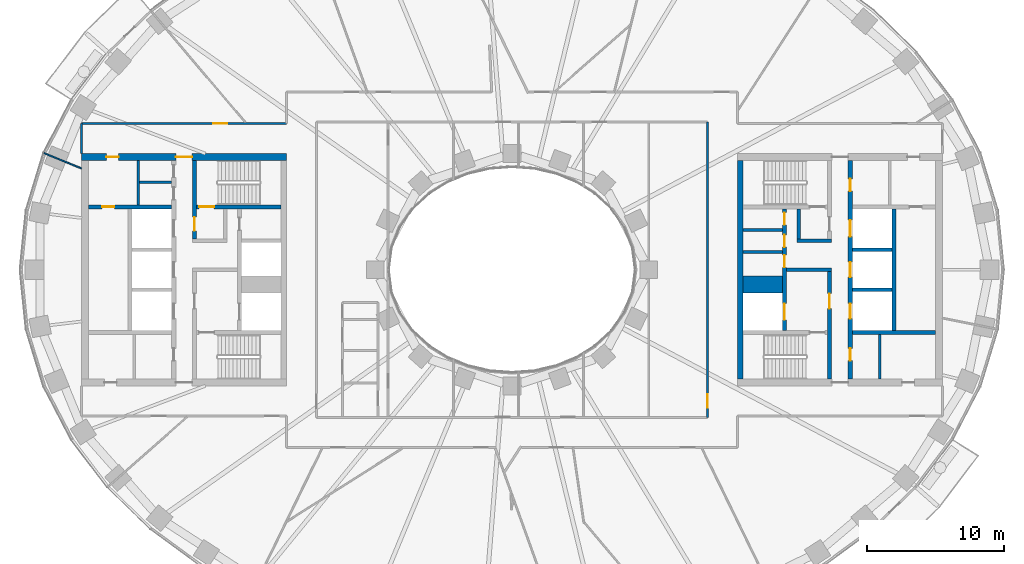
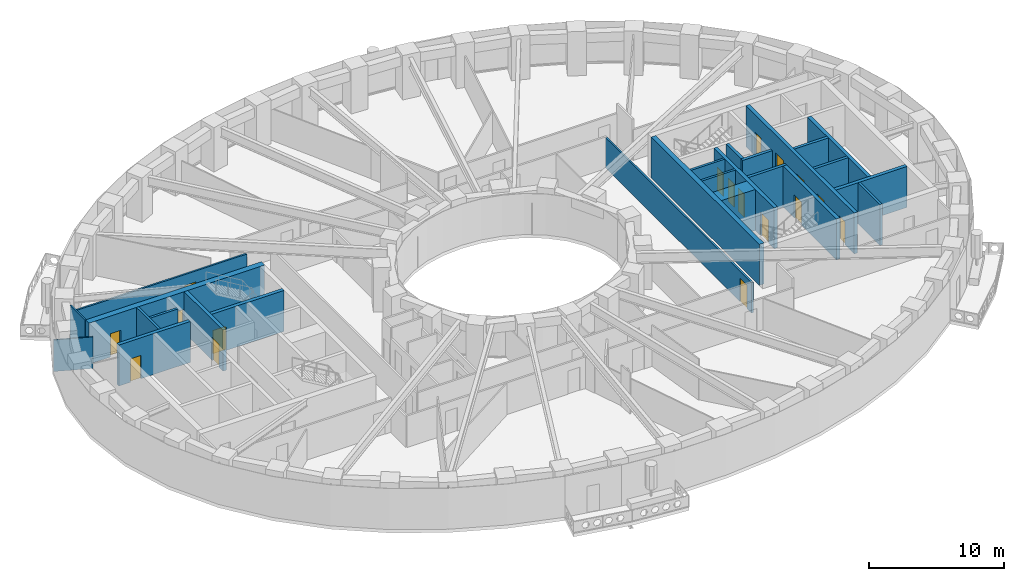
# One storey, part 5 of 16: 25 walls, 17 doors, 17 openings.
"""IFC4 building model written with IfcOpenShell, lengths in metres."""

from ifc_helpers import new_model, si_unit, direction, frame, frame_2d, origin, place, context, subcontext, project, spatial, rectangle, extrude, material, layer, layer_set, type_object, element, fill, save


model = new_model("IFC4")

# Units and contexts
model_context = context("Model", 3, precision=1e-05, world=origin(), true_north=direction((0.0, 1.0)))
body_context = subcontext(model_context, "Body", "Model", "MODEL_VIEW")
ifc_project = project(units=[si_unit("LENGTHUNIT", "METRE"), si_unit("AREAUNIT", "SQUARE_METRE"), si_unit("VOLUMEUNIT", "CUBIC_METRE"), si_unit("PLANEANGLEUNIT", "RADIAN"), si_unit("MASSUNIT", "GRAM", prefix="KILO")], contexts=[model_context])

# Site, building, storey
site_placement = place(None, origin())
site = spatial("IfcSite", under=ifc_project, at=site_placement, CompositionType="ELEMENT")
building_placement = place(site_placement, origin())
building = spatial("IfcBuilding", under=site, at=building_placement, Name="Noorbagh Ring Tower", CompositionType="ELEMENT")
storey_placement = place(building_placement, frame((0.0, 0.0, 58.5)))
storey = spatial("IfcBuildingStorey", under=building, at=storey_placement, Name="L12", CompositionType="ELEMENT", Elevation=58.5)

# Walls
ifc_material_1 = material(Name="Gypsum board on steel studs", Category="steel")
ifc_layer_1 = layer(ifc_material_1, 0.199951171875)
ifc_layer_set_1 = layer_set([ifc_layer_1], Name="Gypsum board on steel studs")
wall_type_1 = type_object("IfcWallType", Name="CORE-PARTITION-200", PredefinedType="PARTITIONING", material=ifc_layer_set_1)
wall_1_placement = place(storey_placement, frame((-27.35009765625, 4.75, 0.0), z_axis=(0.0, 0.0, 1.0), x_axis=(0.0, 1.0, 0.0)))
element("IfcWall", 1, at=wall_1_placement, inside=storey, type_object=wall_type_1, Name="Core partition W", PredefinedType="PARTITIONING", context=body_context, shape_type="SweptSolid", body=[
    extrude(rectangle(XDim=3.25, YDim=0.199951171875, at=frame_2d((1.625, 0.0))), origin(), (0.0, 0.0, 1.0), 3.699951171875),
])
wall_2_placement = place(storey_placement, frame((-24.89990234375, 6.39990234375, 0.0), z_axis=(0.0, 0.0, 1.0), x_axis=(-1.0, 0.0, 0.0)))
element("IfcWall", 2, at=wall_2_placement, inside=storey, type_object=wall_type_1, Name="Core partition W", PredefinedType="PARTITIONING", context=body_context, shape_type="SweptSolid", body=[
    extrude(rectangle(XDim=2.35009765625, YDim=0.199951171875, at=frame_2d((1.175048828125, 0.0))), origin(), (0.0, 0.0, 1.0), 3.699951171875),
])
for number, where, z_axis, x_axis, name in (
    (3, (16.89990234375, 1.300048828125, 0.0), (0.0, 0.0, 1.0), (1.0, 0.0, 0.0), "Core partition E"),
    (4, (16.89990234375, 2.89990234375, 0.0), (0.0, 0.0, 1.0), (1.0, 0.0, 0.0), "Core partition E"),
):
    element("IfcWall", number, at=place(storey_placement, frame(where, z_axis=z_axis, x_axis=x_axis)), inside=storey, type_object=wall_type_1, Name=name, PredefinedType="PARTITIONING", context=body_context, shape_type="SweptSolid", body=[
        extrude(rectangle(XDim=2.900146484375, YDim=0.199951171875, at=frame_2d((1.4501953125, 0.0))), origin(), (0.0, 0.0, 1.0), 3.699951171875),
    ])
wall_3_placement = place(storey_placement, frame((26.89990234375, -8.0, 0.0), z_axis=(0.0, 0.0, 1.0), x_axis=(0.0, 1.0, 0.0)))
element("IfcWall", 5, at=wall_3_placement, inside=storey, type_object=wall_type_1, Name="Core partition E", PredefinedType="PARTITIONING", context=body_context, shape_type="SweptSolid", body=[
    extrude(rectangle(XDim=3.25, YDim=0.199951171875, at=frame_2d((1.625, 0.0))), origin(), (0.0, 0.0, 1.0), 3.699951171875),
])
ifc_material_2 = material(Name="Concrete C70/85", Category="concrete")
ifc_layer_2 = layer(ifc_material_2, 1.25)
ifc_layer_set_2 = layer_set([ifc_layer_2], Name="Concrete C70/85")
wall_type_2 = type_object("IfcWallType", Name="CORE-WALL-1250-C70-85-EI120", PredefinedType="SHEAR", material=ifc_layer_set_2)
wall_4_placement = place(storey_placement, frame((16.89990234375, -1.074951171875, 0.0), z_axis=(0.0, 0.0, 1.0), x_axis=(1.0, 0.0, 0.0)))
element("IfcWall", 6, at=wall_4_placement, inside=storey, type_object=wall_type_2, Name="Core wall E", PredefinedType="SHEAR", context=body_context, shape_type="SweptSolid", body=[
    extrude(rectangle(XDim=2.900146484375, YDim=1.25, at=frame_2d((1.4501953125, 0.0))), origin(), (0.0, 0.0, 1.0), 3.699951171875),
])
ifc_material_3 = material(Name="Concrete C70/85", Category="concrete")
ifc_layer_3 = layer(ifc_material_3, 0.25)
ifc_layer_set_3 = layer_set([ifc_layer_3], Name="Concrete C70/85")
wall_type_3 = type_object("IfcWallType", Name="CORE-WALL-250-C70-85-EI120", PredefinedType="SHEAR", material=ifc_layer_set_3)
for number, where, z_axis, x_axis, name in (
    (7, (24.89990234375, -1.47509765625, 0.0), (0.0, 0.0, 1.0), (1.0, 0.0, 0.0), "Core wall E"),
    (8, (24.89990234375, 1.47509765625, 0.0), (0.0, 0.0, 1.0), (1.0, 0.0, 0.0), "Core wall E"),
):
    element("IfcWall", number, at=place(storey_placement, frame(where, z_axis=z_axis, x_axis=x_axis)), inside=storey, type_object=wall_type_3, Name=name, PredefinedType="SHEAR", context=body_context, shape_type="SweptSolid", body=[
        extrude(rectangle(XDim=2.900146484375, YDim=0.25, at=frame_2d((1.4501953125, 0.0))), origin(), (0.0, 0.0, 1.0), 3.699951171875),
    ])
ifc_material_4 = material(Name="Concrete C70/85", Category="concrete")
ifc_layer_4 = layer(ifc_material_4, 0.25)
ifc_layer_set_4 = layer_set([ifc_layer_4], Name="Concrete C70/85")
wall_type_4 = type_object("IfcWallType", Name="CORE-WALL-250-C70-85-EI240", PredefinedType="SHEAR", material=ifc_layer_set_4)
wall_5_placement = place(storey_placement, frame((20.10009765625, 0.0, 0.0), z_axis=(0.0, 0.0, 1.0), x_axis=(1.0, 0.0, 0.0)))
element("IfcWall", 9, at=wall_5_placement, inside=storey, type_object=wall_type_4, Name="Core wall E", PredefinedType="SHEAR", context=body_context, shape_type="SweptSolid", body=[
    extrude(rectangle(XDim=3.27978515625, YDim=0.25, at=frame_2d((1.639892578125, 0.0))), origin(), (0.0, 0.0, 1.0), 3.699951171875),
])
wall_6_placement = place(storey_placement, frame((20.85009765625, 2.125, 0.0), z_axis=(0.0, 0.0, 1.0), x_axis=(1.0, 0.0, 0.0)))
element("IfcWall", 10, at=wall_6_placement, inside=storey, type_object=wall_type_4, Name="Core wall E", PredefinedType="SHEAR", context=body_context, shape_type="SweptSolid", body=[
    extrude(rectangle(XDim=2.52978515625, YDim=0.25, at=frame_2d((1.264892578125, 0.0))), origin(), (0.0, 0.0, 1.0), 3.699951171875),
])
wall_7_placement = place(storey_placement, frame((20.97509765625, 2.25, 0.0), z_axis=(0.0, 0.0, 1.0), x_axis=(0.0, 1.0, 0.0)))
element("IfcWall", 11, at=wall_7_placement, inside=storey, type_object=wall_type_4, Name="Core wall E", PredefinedType="SHEAR", context=body_context, shape_type="SweptSolid", body=[
    extrude(rectangle(XDim=2.199951171875, YDim=0.25, at=frame_2d((1.10009765625, 0.0))), origin(), (0.0, 0.0, 1.0), 3.699951171875),
])
ifc_material_5 = material(Name="Concrete C70/85", Category="concrete")
ifc_layer_5 = layer(ifc_material_5, 0.300048828125)
ifc_layer_set_5 = layer_set([ifc_layer_5], Name="Concrete C70/85")
wall_type_5 = type_object("IfcWallType", Name="CORE-WALL-300-C70-85-EI120", PredefinedType="SHEAR", material=ifc_layer_set_5)
wall_8_placement = place(storey_placement, frame((27.949951171875, -4.449951171875, 0.0), z_axis=(0.0, 0.0, 1.0), x_axis=(0.0, 1.0, 0.0)))
element("IfcWall", 12, at=wall_8_placement, inside=storey, type_object=wall_type_5, Name="Core wall E", PredefinedType="SHEAR", context=body_context, shape_type="SweptSolid", body=[
    extrude(rectangle(XDim=8.89990234375, YDim=0.300048828125, at=frame_2d((4.449951171875, 0.0))), origin(), (0.0, 0.0, 1.0), 3.699951171875),
])

# Wall, openings, doors
wall_9_placement = place(storey_placement, frame((19.949951171875, -4.449951171875, 0.0), z_axis=(0.0, 0.0, 1.0), x_axis=(0.0, 1.0, 0.0)))
wall_9 = element("IfcWall", 13, at=wall_9_placement, inside=storey, type_object=wall_type_5, Name="Core wall E", PredefinedType="SHEAR", context=body_context, shape_type="SweptSolid", body=[
    extrude(rectangle(XDim=8.89990234375, YDim=0.300048828125, at=frame_2d((4.449951171875, 0.0))), origin(), (0.0, 0.0, 1.0), 3.699951171875),
])
opening_1_placement = place(wall_9_placement, frame((0.77490234375, 0.0, 0.0)))
opening_1 = element("IfcOpeningElement", 14, at=opening_1_placement, cuts=wall_9, Name="Opening L12-CE01", PredefinedType="OPENING", context=body_context, shape_type="SweptSolid", body=[
    extrude(rectangle(XDim=1.199951171875, YDim=2.10009765625, at=frame_2d((0.60009765625, 1.050048828125))), frame((0.0, 0.16015625, 0.0), z_axis=(0.0, -1.0, 0.0), x_axis=(1.0, 0.0, 0.0)), (0.0, 0.0, 1.0), 0.320068359375),
])
opening_2_placement = place(wall_9_placement, frame((4.6201171875, 0.0, 0.0)))
opening_2 = element("IfcOpeningElement", 15, at=opening_2_placement, cuts=wall_9, Name="Opening L12-CE11", PredefinedType="OPENING", context=body_context, shape_type="SweptSolid", body=[
    extrude(rectangle(XDim=0.89990234375, YDim=2.10009765625, at=frame_2d((0.449951171875, 1.050048828125))), frame((0.0, 0.16015625, 0.0), z_axis=(0.0, -1.0, 0.0), x_axis=(1.0, 0.0, 0.0)), (0.0, 0.0, 1.0), 0.320068359375),
])
opening_3_placement = place(wall_9_placement, frame((6.10009765625, 0.0, 0.0)))
opening_3 = element("IfcOpeningElement", 16, at=opening_3_placement, cuts=wall_9, Name="Opening L12-CE12", PredefinedType="OPENING", context=body_context, shape_type="SweptSolid", body=[
    extrude(rectangle(XDim=0.89990234375, YDim=2.10009765625, at=frame_2d((0.449951171875, 1.050048828125))), frame((0.0, 0.16015625, 0.0), z_axis=(0.0, -1.0, 0.0), x_axis=(1.0, 0.0, 0.0)), (0.0, 0.0, 1.0), 0.320068359375),
])
opening_4_placement = place(wall_9_placement, frame((7.72509765625, 0.0, 0.0)))
opening_4 = element("IfcOpeningElement", 17, at=opening_4_placement, cuts=wall_9, Name="Opening L12-CE13", PredefinedType="OPENING", context=body_context, shape_type="SweptSolid", body=[
    extrude(rectangle(XDim=0.89990234375, YDim=2.10009765625, at=frame_2d((0.449951171875, 1.050048828125))), frame((0.0, 0.16015625, 0.0), z_axis=(0.0, -1.0, 0.0), x_axis=(1.0, 0.0, 0.0)), (0.0, 0.0, 1.0), 0.320068359375),
])
ifc_material_6 = material(Name="Steel door leaf", Category="steel")
door_type_1 = type_object("IfcDoorType", Name="CORE-DOOR-DROOM", OperationType="SINGLE_SWING_LEFT", PredefinedType="DOOR", material=ifc_material_6)
door_1_placement = place(opening_2_placement, origin())
door_1 = element("IfcDoor", 18, at=door_1_placement, inside=storey, type_object=door_type_1, Name="Core room door L12-CE11", OperationType="SINGLE_SWING_LEFT", OverallHeight=2.10009765625, OverallWidth=0.89990234375, PredefinedType="DOOR", context=body_context, shape_type="SweptSolid", body=[
    extrude(rectangle(XDim=0.89990234375, YDim=2.10009765625, at=frame_2d((0.449951171875, 1.050048828125))), frame((0.0, 0.02490234375, 0.0), z_axis=(0.0, -1.0, 0.0), x_axis=(1.0, 0.0, 0.0)), (0.0, 0.0, 1.0), 0.050048828125),
])
fill(opening_2, door_1)
door_2_placement = place(opening_3_placement, origin())
door_2 = element("IfcDoor", 19, at=door_2_placement, inside=storey, type_object=door_type_1, Name="Core room door L12-CE12", OperationType="SINGLE_SWING_RIGHT", OverallHeight=2.10009765625, OverallWidth=0.89990234375, PredefinedType="DOOR", context=body_context, shape_type="SweptSolid", body=[
    extrude(rectangle(XDim=0.89990234375, YDim=2.10009765625, at=frame_2d((0.449951171875, 1.050048828125))), frame((0.0, 0.02490234375, 0.0), z_axis=(0.0, -1.0, 0.0), x_axis=(1.0, 0.0, 0.0)), (0.0, 0.0, 1.0), 0.050048828125),
])
fill(opening_3, door_2)
door_3_placement = place(opening_4_placement, origin())
door_3 = element("IfcDoor", 20, at=door_3_placement, inside=storey, type_object=door_type_1, Name="Core room door L12-CE13", OperationType="SINGLE_SWING_RIGHT", OverallHeight=2.10009765625, OverallWidth=0.89990234375, PredefinedType="DOOR", context=body_context, shape_type="SweptSolid", body=[
    extrude(rectangle(XDim=0.89990234375, YDim=2.10009765625, at=frame_2d((0.449951171875, 1.050048828125))), frame((0.0, 0.02490234375, 0.0), z_axis=(0.0, -1.0, 0.0), x_axis=(1.0, 0.0, 0.0)), (0.0, 0.0, 1.0), 0.050048828125),
])
fill(opening_4, door_3)
ifc_material_7 = material(Name="Steel door leaf", Category="steel")
door_type_2 = type_object("IfcDoorType", Name="CORE-DOOR-LDW", OperationType="DOUBLE_DOOR_SLIDING", PredefinedType="DOOR", material=ifc_material_7)
door_4_placement = place(opening_1_placement, origin())
door_4 = element("IfcDoor", 21, at=door_4_placement, inside=storey, type_object=door_type_2, Name="Landing door FF2 L12-CE01", OperationType="DOUBLE_DOOR_SLIDING", OverallHeight=2.10009765625, OverallWidth=1.199951171875, PredefinedType="DOOR", context=body_context, shape_type="SweptSolid", body=[
    extrude(rectangle(XDim=1.199951171875, YDim=2.10009765625, at=frame_2d((0.60009765625, 1.050048828125))), frame((0.0, 0.02490234375, 0.0), z_axis=(0.0, -1.0, 0.0), x_axis=(1.0, 0.0, 0.0)), (0.0, 0.0, 1.0), 0.050048828125),
])
fill(opening_1, door_4)

wall_10_placement = place(storey_placement, frame((24.75, -8.0, 0.0), z_axis=(0.0, 0.0, 1.0), x_axis=(0.0, 1.0, 0.0)))
wall_10 = element("IfcWall", 22, at=wall_10_placement, inside=storey, type_object=wall_type_5, Name="Core wall E", PredefinedType="SHEAR", context=body_context, shape_type="SweptSolid", body=[
    extrude(rectangle(XDim=16.0, YDim=0.300048828125, at=frame_2d((8.0, 0.0))), origin(), (0.0, 0.0, 1.0), 3.699951171875),
])
opening_5_placement = place(wall_10_placement, frame((4.425048828125, 0.0, 0.0)))
opening_5 = element("IfcOpeningElement", 23, at=opening_5_placement, cuts=wall_10, Name="Opening L12-CE02", PredefinedType="OPENING", context=body_context, shape_type="SweptSolid", body=[
    extrude(rectangle(XDim=1.10009765625, YDim=2.10009765625, at=frame_2d((0.550048828125, 1.050048828125))), frame((0.0, 0.16015625, 0.0), z_axis=(0.0, -1.0, 0.0), x_axis=(1.0, 0.0, 0.0)), (0.0, 0.0, 1.0), 0.320068359375),
])
opening_6_placement = place(wall_10_placement, frame((7.449951171875, 0.0, 0.0)))
opening_6 = element("IfcOpeningElement", 24, at=opening_6_placement, cuts=wall_10, Name="Opening L12-CE03", PredefinedType="OPENING", context=body_context, shape_type="SweptSolid", body=[
    extrude(rectangle(XDim=1.10009765625, YDim=2.10009765625, at=frame_2d((0.550048828125, 1.050048828125))), frame((0.0, 0.16015625, 0.0), z_axis=(0.0, -1.0, 0.0), x_axis=(1.0, 0.0, 0.0)), (0.0, 0.0, 1.0), 0.320068359375),
])
opening_7_placement = place(wall_10_placement, frame((10.425048828125, 0.0, 0.0)))
opening_7 = element("IfcOpeningElement", 25, at=opening_7_placement, cuts=wall_10, Name="Opening L12-CE04", PredefinedType="OPENING", context=body_context, shape_type="SweptSolid", body=[
    extrude(rectangle(XDim=1.199951171875, YDim=2.10009765625, at=frame_2d((0.60009765625, 1.050048828125))), frame((0.0, 0.16015625, 0.0), z_axis=(0.0, -1.0, 0.0), x_axis=(1.0, 0.0, 0.0)), (0.0, 0.0, 1.0), 0.320068359375),
])
opening_8_placement = place(wall_10_placement, frame((13.75, 0.0, 0.0)))
opening_8 = element("IfcOpeningElement", 26, at=opening_8_placement, cuts=wall_10, Name="Opening L12-CE14", PredefinedType="OPENING", context=body_context, shape_type="SweptSolid", body=[
    extrude(rectangle(XDim=0.89990234375, YDim=2.10009765625, at=frame_2d((0.449951171875, 1.050048828125))), frame((0.0, 0.16015625, 0.0), z_axis=(0.0, -1.0, 0.0), x_axis=(1.0, 0.0, 0.0)), (0.0, 0.0, 1.0), 0.320068359375),
])
opening_9_placement = place(wall_10_placement, frame((1.35009765625, 0.0, 0.0)))
opening_9 = element("IfcOpeningElement", 27, at=opening_9_placement, cuts=wall_10, Name="Opening L12-CE16", PredefinedType="OPENING", context=body_context, shape_type="SweptSolid", body=[
    extrude(rectangle(XDim=0.89990234375, YDim=2.10009765625, at=frame_2d((0.449951171875, 1.050048828125))), frame((0.0, 0.16015625, 0.0), z_axis=(0.0, -1.0, 0.0), x_axis=(1.0, 0.0, 0.0)), (0.0, 0.0, 1.0), 0.320068359375),
])
door_5_placement = place(opening_8_placement, origin())
door_5 = element("IfcDoor", 28, at=door_5_placement, inside=storey, type_object=door_type_1, Name="Core room door L12-CE14", OperationType="SINGLE_SWING_LEFT", OverallHeight=2.10009765625, OverallWidth=0.89990234375, PredefinedType="DOOR", context=body_context, shape_type="SweptSolid", body=[
    extrude(rectangle(XDim=0.89990234375, YDim=2.10009765625, at=frame_2d((0.449951171875, 1.050048828125))), frame((0.0, 0.02490234375, 0.0), z_axis=(0.0, -1.0, 0.0), x_axis=(1.0, 0.0, 0.0)), (0.0, 0.0, 1.0), 0.050048828125),
])
fill(opening_8, door_5)
door_6_placement = place(opening_9_placement, origin())
door_6 = element("IfcDoor", 29, at=door_6_placement, inside=storey, type_object=door_type_1, Name="Core room door L12-CE16", OperationType="SINGLE_SWING_RIGHT", OverallHeight=2.10009765625, OverallWidth=0.89990234375, PredefinedType="DOOR", context=body_context, shape_type="SweptSolid", body=[
    extrude(rectangle(XDim=0.89990234375, YDim=2.10009765625, at=frame_2d((0.449951171875, 1.050048828125))), frame((0.0, 0.02490234375, 0.0), z_axis=(0.0, -1.0, 0.0), x_axis=(1.0, 0.0, 0.0)), (0.0, 0.0, 1.0), 0.050048828125),
])
fill(opening_9, door_6)
ifc_material_8 = material(Name="Steel door leaf", Category="steel")
door_type_3 = type_object("IfcDoorType", Name="CORE-DOOR-LD", OperationType="DOUBLE_DOOR_SLIDING", PredefinedType="DOOR", material=ifc_material_8)
door_7_placement = place(opening_5_placement, origin())
door_7 = element("IfcDoor", 30, at=door_7_placement, inside=storey, type_object=door_type_3, Name="Landing door LR3 L12-CE02", OperationType="DOUBLE_DOOR_SLIDING", OverallHeight=2.10009765625, OverallWidth=1.10009765625, PredefinedType="DOOR", context=body_context, shape_type="SweptSolid", body=[
    extrude(rectangle(XDim=1.10009765625, YDim=2.10009765625, at=frame_2d((0.550048828125, 1.050048828125))), frame((0.0, 0.02490234375, 0.0), z_axis=(0.0, -1.0, 0.0), x_axis=(1.0, 0.0, 0.0)), (0.0, 0.0, 1.0), 0.050048828125),
])
fill(opening_5, door_7)
door_8_placement = place(opening_6_placement, origin())
door_8 = element("IfcDoor", 31, at=door_8_placement, inside=storey, type_object=door_type_3, Name="Landing door LR4 L12-CE03", OperationType="DOUBLE_DOOR_SLIDING", OverallHeight=2.10009765625, OverallWidth=1.10009765625, PredefinedType="DOOR", context=body_context, shape_type="SweptSolid", body=[
    extrude(rectangle(XDim=1.10009765625, YDim=2.10009765625, at=frame_2d((0.550048828125, 1.050048828125))), frame((0.0, 0.02490234375, 0.0), z_axis=(0.0, -1.0, 0.0), x_axis=(1.0, 0.0, 0.0)), (0.0, 0.0, 1.0), 0.050048828125),
])
fill(opening_6, door_8)
door_9_placement = place(opening_7_placement, origin())
door_9 = element("IfcDoor", 32, at=door_9_placement, inside=storey, type_object=door_type_2, Name="Landing door SV2 L12-CE04", OperationType="DOUBLE_DOOR_SLIDING", OverallHeight=2.10009765625, OverallWidth=1.199951171875, PredefinedType="DOOR", context=body_context, shape_type="SweptSolid", body=[
    extrude(rectangle(XDim=1.199951171875, YDim=2.10009765625, at=frame_2d((0.60009765625, 1.050048828125))), frame((0.0, 0.02490234375, 0.0), z_axis=(0.0, -1.0, 0.0), x_axis=(1.0, 0.0, 0.0)), (0.0, 0.0, 1.0), 0.050048828125),
])
fill(opening_7, door_9)

# Wall, opening, door
ifc_material_9 = material(Name="Concrete C70/85", Category="concrete")
ifc_layer_6 = layer(ifc_material_9, 0.300048828125)
ifc_layer_set_6 = layer_set([ifc_layer_6], Name="Concrete C70/85")
wall_type_6 = type_object("IfcWallType", Name="CORE-WALL-300-C70-85-EI240", PredefinedType="SHEAR", material=ifc_layer_set_6)
wall_11_placement = place(storey_placement, frame((-24.89990234375, 4.60009765625, 0.0), z_axis=(0.0, 0.0, 1.0), x_axis=(-1.0, 0.0, 0.0)))
wall_11 = element("IfcWall", 33, at=wall_11_placement, inside=storey, type_object=wall_type_6, Name="Core wall W", PredefinedType="SHEAR", context=body_context, shape_type="SweptSolid", body=[
    extrude(rectangle(XDim=6.10009765625, YDim=0.300048828125, at=frame_2d((3.050048828125, 0.0))), origin(), (0.0, 0.0, 1.0), 3.699951171875),
])
opening_10_placement = place(wall_11_placement, frame((4.199951171875, 0.0, 0.0)))
opening_10 = element("IfcOpeningElement", 34, at=opening_10_placement, cuts=wall_11, Name="Opening L12-CW17", PredefinedType="OPENING", context=body_context, shape_type="SweptSolid", body=[
    extrude(rectangle(XDim=0.89990234375, YDim=2.10009765625, at=frame_2d((0.449951171875, 1.050048828125))), frame((0.0, 0.16015625, 0.0), z_axis=(0.0, -1.0, 0.0), x_axis=(1.0, 0.0, 0.0)), (0.0, 0.0, 1.0), 0.320068359375),
])
door_10_placement = place(opening_10_placement, origin())
door_10 = element("IfcDoor", 35, at=door_10_placement, inside=storey, type_object=door_type_1, Name="Core room door L12-CW17", OperationType="SINGLE_SWING_LEFT", OverallHeight=2.10009765625, OverallWidth=0.89990234375, PredefinedType="DOOR", context=body_context, shape_type="SweptSolid", body=[
    extrude(rectangle(XDim=0.89990234375, YDim=2.10009765625, at=frame_2d((0.449951171875, 1.050048828125))), frame((0.0, 0.02490234375, 0.0), z_axis=(0.0, -1.0, 0.0), x_axis=(1.0, 0.0, 0.0)), (0.0, 0.0, 1.0), 0.050048828125),
])
fill(opening_10, door_10)

wall_12_placement = place(storey_placement, frame((-23.22998046875, 2.25, 0.0), z_axis=(0.0, 0.0, 1.0), x_axis=(0.0, 1.0, 0.0)))
wall_12 = element("IfcWall", 36, at=wall_12_placement, inside=storey, type_object=wall_type_6, Name="Core wall W", PredefinedType="SHEAR", context=body_context, shape_type="SweptSolid", body=[
    extrude(rectangle(XDim=5.75, YDim=0.300048828125, at=frame_2d((2.875, 0.0))), origin(), (0.0, 0.0, 1.0), 3.699951171875),
])
opening_11_placement = place(wall_12_placement, frame((0.60009765625, 0.0, 0.0)))
opening_11 = element("IfcOpeningElement", 37, at=opening_11_placement, cuts=wall_12, Name="Opening L12-CW08", PredefinedType="OPENING", context=body_context, shape_type="SweptSolid", body=[
    extrude(rectangle(XDim=1.0, YDim=2.10009765625, at=frame_2d((0.5, 1.050048828125))), frame((0.0, 0.16015625, 0.0), z_axis=(0.0, -1.0, 0.0), x_axis=(1.0, 0.0, 0.0)), (0.0, 0.0, 1.0), 0.320068359375),
])
ifc_material_10 = material(Name="Steel door leaf", Category="steel")
door_type_4 = type_object("IfcDoorType", Name="CORE-DOOR-DVEST", OperationType="SINGLE_SWING_LEFT", PredefinedType="DOOR", material=ifc_material_10)
door_11_placement = place(opening_11_placement, origin())
door_11 = element("IfcDoor", 38, at=door_11_placement, inside=storey, type_object=door_type_4, Name="Stair vestibule door L12-CW08", OperationType="SINGLE_SWING_LEFT", OverallHeight=2.10009765625, OverallWidth=1.0, PredefinedType="DOOR", context=body_context, shape_type="SweptSolid", body=[
    extrude(rectangle(XDim=1.0, YDim=2.10009765625, at=frame_2d((0.5, 1.050048828125))), frame((0.0, 0.02490234375, 0.0), z_axis=(0.0, -1.0, 0.0), x_axis=(1.0, 0.0, 0.0)), (0.0, 0.0, 1.0), 0.050048828125),
])
fill(opening_11, door_11)

wall_13_placement = place(storey_placement, frame((-16.89990234375, 4.60009765625, 0.0), z_axis=(0.0, 0.0, 1.0), x_axis=(-1.0, 0.0, 0.0)))
wall_13 = element("IfcWall", 39, at=wall_13_placement, inside=storey, type_object=wall_type_6, Name="Core wall W", PredefinedType="SHEAR", context=body_context, shape_type="SweptSolid", body=[
    extrude(rectangle(XDim=6.18017578125, YDim=0.300048828125, at=frame_2d((3.090087890625, 0.0))), origin(), (0.0, 0.0, 1.0), 3.699951171875),
])
opening_12_placement = place(wall_13_placement, frame((4.89990234375, 0.0, 0.0)))
opening_12 = element("IfcOpeningElement", 40, at=opening_12_placement, cuts=wall_13, Name="Opening L12-CW05", PredefinedType="OPENING", context=body_context, shape_type="SweptSolid", body=[
    extrude(rectangle(XDim=1.10009765625, YDim=2.10009765625, at=frame_2d((0.550048828125, 1.050048828125))), frame((0.0, 0.16015625, 0.0), z_axis=(0.0, -1.0, 0.0), x_axis=(1.0, 0.0, 0.0)), (0.0, 0.0, 1.0), 0.320068359375),
])
ifc_material_11 = material(Name="Steel door leaf", Category="steel")
door_type_5 = type_object("IfcDoorType", Name="CORE-DOOR-DSTAIR", OperationType="SINGLE_SWING_LEFT", PredefinedType="DOOR", material=ifc_material_11)
door_12_placement = place(opening_12_placement, origin())
door_12 = element("IfcDoor", 41, at=door_12_placement, inside=storey, type_object=door_type_5, Name="Stair door ST1 L12-CW05", OperationType="SINGLE_SWING_RIGHT", OverallHeight=2.10009765625, OverallWidth=1.10009765625, PredefinedType="DOOR", context=body_context, shape_type="SweptSolid", body=[
    extrude(rectangle(XDim=1.10009765625, YDim=2.10009765625, at=frame_2d((0.550048828125, 1.050048828125))), frame((0.0, 0.02490234375, 0.0), z_axis=(0.0, -1.0, 0.0), x_axis=(1.0, 0.0, 0.0)), (0.0, 0.0, 1.0), 0.050048828125),
])
fill(opening_12, door_12)

# Wall
wall_14_placement = place(storey_placement, frame((24.89990234375, -4.60009765625, 0.0), z_axis=(0.0, 0.0, 1.0), x_axis=(1.0, 0.0, 0.0)))
element("IfcWall", 42, at=wall_14_placement, inside=storey, type_object=wall_type_6, Name="Core wall E", PredefinedType="SHEAR", context=body_context, shape_type="SweptSolid", body=[
    extrude(rectangle(XDim=6.10009765625, YDim=0.300048828125, at=frame_2d((3.050048828125, 0.0))), origin(), (0.0, 0.0, 1.0), 3.699951171875),
])

# Wall, opening, door
wall_15_placement = place(storey_placement, frame((23.22998046875, -8.0, 0.0), z_axis=(0.0, 0.0, 1.0), x_axis=(0.0, 1.0, 0.0)))
wall_15 = element("IfcWall", 43, at=wall_15_placement, inside=storey, type_object=wall_type_6, Name="Core wall E", PredefinedType="SHEAR", context=body_context, shape_type="SweptSolid", body=[
    extrude(rectangle(XDim=7.875, YDim=0.300048828125, at=frame_2d((3.9375, 0.0))), origin(), (0.0, 0.0, 1.0), 3.699951171875),
])
opening_13_placement = place(wall_15_placement, frame((5.14990234375, 0.0, 0.0)))
opening_13 = element("IfcOpeningElement", 44, at=opening_13_placement, cuts=wall_15, Name="Opening L12-CE07", PredefinedType="OPENING", context=body_context, shape_type="SweptSolid", body=[
    extrude(rectangle(XDim=1.10009765625, YDim=2.10009765625, at=frame_2d((0.550048828125, 1.050048828125))), frame((0.0, 0.16015625, 0.0), z_axis=(0.0, -1.0, 0.0), x_axis=(1.0, 0.0, 0.0)), (0.0, 0.0, 1.0), 0.320068359375),
])
ifc_material_12 = material(Name="Steel door leaf", Category="steel")
door_type_6 = type_object("IfcDoorType", Name="CORE-DOOR-DFF", OperationType="SINGLE_SWING_LEFT", PredefinedType="DOOR", material=ifc_material_12)
door_13_placement = place(opening_13_placement, origin())
door_13 = element("IfcDoor", 45, at=door_13_placement, inside=storey, type_object=door_type_6, Name="Firefighting lobby door L12-CE07", OperationType="SINGLE_SWING_RIGHT", OverallHeight=2.10009765625, OverallWidth=1.10009765625, PredefinedType="DOOR", context=body_context, shape_type="SweptSolid", body=[
    extrude(rectangle(XDim=1.10009765625, YDim=2.10009765625, at=frame_2d((0.550048828125, 1.050048828125))), frame((0.0, 0.02490234375, 0.0), z_axis=(0.0, -1.0, 0.0), x_axis=(1.0, 0.0, 0.0)), (0.0, 0.0, 1.0), 0.050048828125),
])
fill(opening_13, door_13)

# Wall
ifc_material_13 = material(Name="Concrete C70/85", Category="concrete")
ifc_layer_7 = layer(ifc_material_13, 0.39990234375)
ifc_layer_set_7 = layer_set([ifc_layer_7], Name="Concrete C70/85")
wall_type_7 = type_object("IfcWallType", Name="CORE-WALL-400-C70-85-EI240", PredefinedType="SHEAR", material=ifc_layer_set_7)
wall_16_placement = place(storey_placement, frame((16.699951171875, -8.0, 0.0), z_axis=(0.0, 0.0, 1.0), x_axis=(0.0, 1.0, 0.0)))
element("IfcWall", 46, at=wall_16_placement, inside=storey, type_object=wall_type_7, Name="Core wall E", PredefinedType="SHEAR", context=body_context, shape_type="SweptSolid", body=[
    extrude(rectangle(XDim=16.0, YDim=0.39990234375, at=frame_2d((8.0, 0.0))), origin(), (0.0, 0.0, 1.0), 3.699951171875),
])

# Wall, openings, doors
ifc_material_14 = material(Name="Concrete C70/85", Category="concrete")
ifc_layer_8 = layer(ifc_material_14, 0.5)
ifc_layer_set_8 = layer_set([ifc_layer_8], Name="Concrete C70/85")
wall_type_8 = type_object("IfcWallType", Name="CORE-WALL-500-C70-85-EI240", PredefinedType="SHEAR", material=ifc_layer_set_8)
wall_17_placement = place(storey_placement, frame((-16.5, 8.25, 0.0), z_axis=(0.0, 0.0, 1.0), x_axis=(-1.0, 0.0, 0.0)))
wall_17 = element("IfcWall", 47, at=wall_17_placement, inside=storey, type_object=wall_type_8, Name="Core wall W", PredefinedType="SHEAR", context=body_context, shape_type="SweptSolid", body=[
    extrude(rectangle(XDim=15.0, YDim=0.5, at=frame_2d((7.5, 0.0))), origin(), (0.0, 0.0, 1.0), 3.699951171875),
])
opening_14_placement = place(wall_17_placement, frame((6.89990234375, 0.0, 0.0)))
opening_14 = element("IfcOpeningElement", 48, at=opening_14_placement, cuts=wall_17, Name="Opening L12-CW09", PredefinedType="OPENING", context=body_context, shape_type="SweptSolid", body=[
    extrude(rectangle(XDim=1.199951171875, YDim=2.10009765625, at=frame_2d((0.60009765625, 1.050048828125))), frame((0.0, 0.260009765625, 0.0), z_axis=(0.0, -1.0, 0.0), x_axis=(1.0, 0.0, 0.0)), (0.0, 0.0, 1.0), 0.52001953125),
])
opening_15_placement = place(wall_17_placement, frame((12.27490234375, 0.0, 0.0)))
opening_15 = element("IfcOpeningElement", 49, at=opening_15_placement, cuts=wall_17, Name="Opening L12-CW14", PredefinedType="OPENING", context=body_context, shape_type="SweptSolid", body=[
    extrude(rectangle(XDim=0.89990234375, YDim=2.10009765625, at=frame_2d((0.449951171875, 1.050048828125))), frame((0.0, 0.260009765625, 0.0), z_axis=(0.0, -1.0, 0.0), x_axis=(1.0, 0.0, 0.0)), (0.0, 0.0, 1.0), 0.52001953125),
])
door_14_placement = place(opening_15_placement, origin())
door_14 = element("IfcDoor", 50, at=door_14_placement, inside=storey, type_object=door_type_1, Name="Core room door L12-CW14", OperationType="SINGLE_SWING_RIGHT", OverallHeight=2.10009765625, OverallWidth=0.89990234375, PredefinedType="DOOR", context=body_context, shape_type="SweptSolid", body=[
    extrude(rectangle(XDim=0.89990234375, YDim=2.10009765625, at=frame_2d((0.449951171875, 1.050048828125))), frame((0.0, 0.02490234375, 0.0), z_axis=(0.0, -1.0, 0.0), x_axis=(1.0, 0.0, 0.0)), (0.0, 0.0, 1.0), 0.050048828125),
])
fill(opening_15, door_14)
ifc_material_15 = material(Name="Steel door leaf", Category="steel")
door_type_7 = type_object("IfcDoorType", Name="CORE-DOOR-PORT", OperationType="DOUBLE_DOOR_DOUBLE_SWING", PredefinedType="DOOR", material=ifc_material_15)
door_15_placement = place(opening_14_placement, origin())
door_15 = element("IfcDoor", 51, at=door_15_placement, inside=storey, type_object=door_type_7, Name="Core entrance door L12-CW09", OperationType="DOUBLE_DOOR_DOUBLE_SWING", OverallHeight=2.10009765625, OverallWidth=1.199951171875, PredefinedType="DOOR", context=body_context, shape_type="SweptSolid", body=[
    extrude(rectangle(XDim=1.199951171875, YDim=2.10009765625, at=frame_2d((0.60009765625, 1.050048828125))), frame((0.0, 0.02490234375, 0.0), z_axis=(0.0, -1.0, 0.0), x_axis=(1.0, 0.0, 0.0)), (0.0, 0.0, 1.0), 0.050048828125),
])
fill(opening_14, door_15)

# Wall
ifc_material_16 = material(Name="Gypsum board on steel studs", Category="steel")
ifc_layer_9 = layer(ifc_material_16, 0.14990234375)
ifc_layer_set_9 = layer_set([ifc_layer_9], Name="Gypsum board on steel studs")
wall_type_9 = type_object("IfcWallType", Name="CORRIDOR PARTITION 150 EI 30", PredefinedType="PARTITIONING", material=ifc_layer_set_9)
wall_18_placement = place(storey_placement, frame((-31.5, 8.5, 0.0), z_axis=(0.0, 0.0, 1.0), x_axis=(0.0, 1.0, 0.0)))
element("IfcWall", 52, at=wall_18_placement, inside=storey, type_object=wall_type_9, Name="L12/wall/P04", PredefinedType="PARTITIONING", context=body_context, shape_type="SweptSolid", body=[
    extrude(rectangle(XDim=2.199951171875, YDim=0.14990234375, at=frame_2d((1.10009765625, 0.0))), origin(), (0.0, 0.0, 1.0), 3.699951171875),
])

# Wall, opening, door
wall_19_placement = place(storey_placement, frame((-31.5, 10.699951171875, 0.0), z_axis=(0.0, 0.0, 1.0), x_axis=(1.0, 0.0, 0.0)))
wall_19 = element("IfcWall", 53, at=wall_19_placement, inside=storey, type_object=wall_type_9, Name="L12/wall/P05", PredefinedType="PARTITIONING", context=body_context, shape_type="SweptSolid", body=[
    extrude(rectangle(XDim=15.0, YDim=0.14990234375, at=frame_2d((7.5, 0.0))), origin(), (0.0, 0.0, 1.0), 3.10009765625),
])
opening_16_placement = place(wall_19_placement, frame((9.655029296875, 0.0, 0.0)))
opening_16 = element("IfcOpeningElement", 54, at=opening_16_placement, cuts=wall_19, Name="Opening D1", PredefinedType="OPENING", context=body_context, shape_type="SweptSolid", body=[
    extrude(rectangle(XDim=1.0, YDim=2.10009765625, at=frame_2d((0.5, 1.050048828125))), frame((0.0, 0.0849609375, 0.0), z_axis=(0.0, -1.0, 0.0), x_axis=(1.0, 0.0, 0.0)), (0.0, 0.0, 1.0), 0.169921875),
])
ifc_material_17 = material(Name="Timber, painted", Category="wood")
door_type_8 = type_object("IfcDoorType", Name="DOOR 1000 X 2100 FD30", OperationType="SINGLE_SWING_LEFT", PredefinedType="DOOR", material=ifc_material_17)
door_16_placement = place(opening_16_placement, origin())
door_16 = element("IfcDoor", 55, at=door_16_placement, inside=storey, type_object=door_type_8, Name="L12-D07", OperationType="SINGLE_SWING_LEFT", OverallHeight=2.10009765625, OverallWidth=1.0, PredefinedType="DOOR", context=body_context, shape_type="SweptSolid", body=[
    extrude(rectangle(XDim=1.0, YDim=2.10009765625, at=frame_2d((0.5, 1.050048828125))), frame((0.0, 0.02490234375, 0.0), z_axis=(0.0, -1.0, 0.0), x_axis=(1.0, 0.0, 0.0)), (0.0, 0.0, 1.0), 0.050048828125),
])
fill(opening_16, door_16)

wall_20_placement = place(storey_placement, frame((14.300048828125, -10.800048828125, 0.0), z_axis=(0.0, 0.0, 1.0), x_axis=(0.0, 1.0, 0.0)))
wall_20 = element("IfcWall", 56, at=wall_20_placement, inside=storey, type_object=wall_type_9, Name="L12/wall/P53", PredefinedType="PARTITIONING", context=body_context, shape_type="SweptSolid", body=[
    extrude(rectangle(XDim=21.60009765625, YDim=0.14990234375, at=frame_2d((10.800048828125, 0.0))), origin(), (0.0, 0.0, 1.0), 2.75),
])
opening_17_placement = place(wall_20_placement, frame((0.699951171875, 0.0, 0.0)))
opening_17 = element("IfcOpeningElement", 57, at=opening_17_placement, cuts=wall_20, Name="Opening D1", PredefinedType="OPENING", context=body_context, shape_type="SweptSolid", body=[
    extrude(rectangle(XDim=1.0, YDim=2.10009765625, at=frame_2d((0.5, 1.050048828125))), frame((0.0, 0.0849609375, 0.0), z_axis=(0.0, -1.0, 0.0), x_axis=(1.0, 0.0, 0.0)), (0.0, 0.0, 1.0), 0.169921875),
])
door_17_placement = place(opening_17_placement, origin())
door_17 = element("IfcDoor", 58, at=door_17_placement, inside=storey, type_object=door_type_8, Name="L12-D28", OperationType="SINGLE_SWING_RIGHT", OverallHeight=2.10009765625, OverallWidth=1.0, PredefinedType="DOOR", context=body_context, shape_type="SweptSolid", body=[
    extrude(rectangle(XDim=1.0, YDim=2.10009765625, at=frame_2d((0.5, 1.050048828125))), frame((0.0, 0.02490234375, 0.0), z_axis=(0.0, -1.0, 0.0), x_axis=(1.0, 0.0, 0.0)), (0.0, 0.0, 1.0), 0.050048828125),
])
fill(opening_17, door_17)

# Wall
ifc_material_18 = material(Name="Gypsum board on steel studs", Category="steel")
ifc_layer_10 = layer(ifc_material_18, 0.10009765625)
ifc_layer_set_10 = layer_set([ifc_layer_10], Name="Gypsum board on steel studs")
wall_type_10 = type_object("IfcWallType", Name="PARTITION 100 GYPSUM", PredefinedType="PARTITIONING", material=ifc_layer_set_10)
wall_21_placement = place(storey_placement, frame((-34.23388671875, 8.530029296875, 0.0), z_axis=(0.0, 0.0, 1.0), x_axis=(0.925344112436, -0.379128307542, 0.0)))
element("IfcWall", 59, at=wall_21_placement, inside=storey, type_object=wall_type_10, Name="L12/wall/P01", PredefinedType="PARTITIONING", context=body_context, shape_type="SweptSolid", body=[
    extrude(rectangle(XDim=2.954345703125, YDim=0.10009765625, at=frame_2d((1.47705078125, 0.0))), origin(), (0.0, 0.0, 1.0), 2.85009765625),
])

save(model, "model.ifc")
